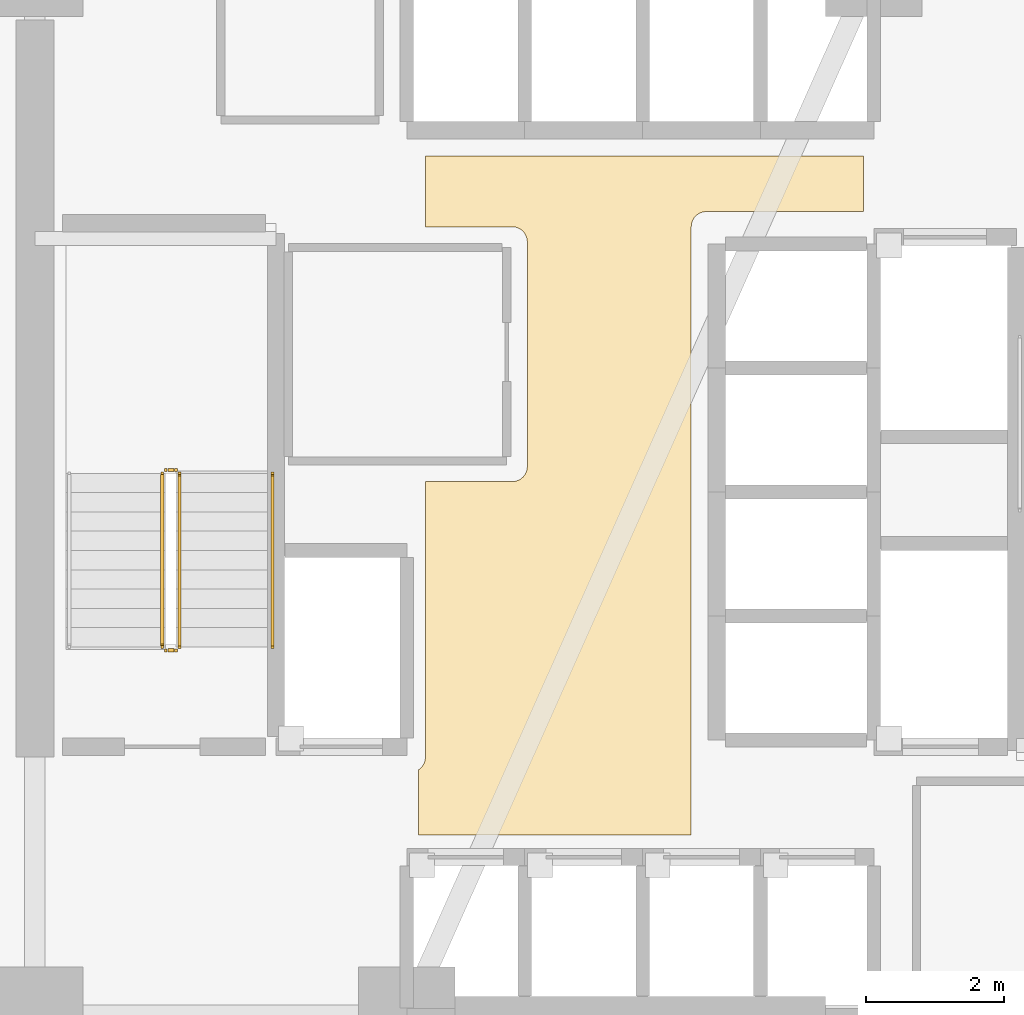
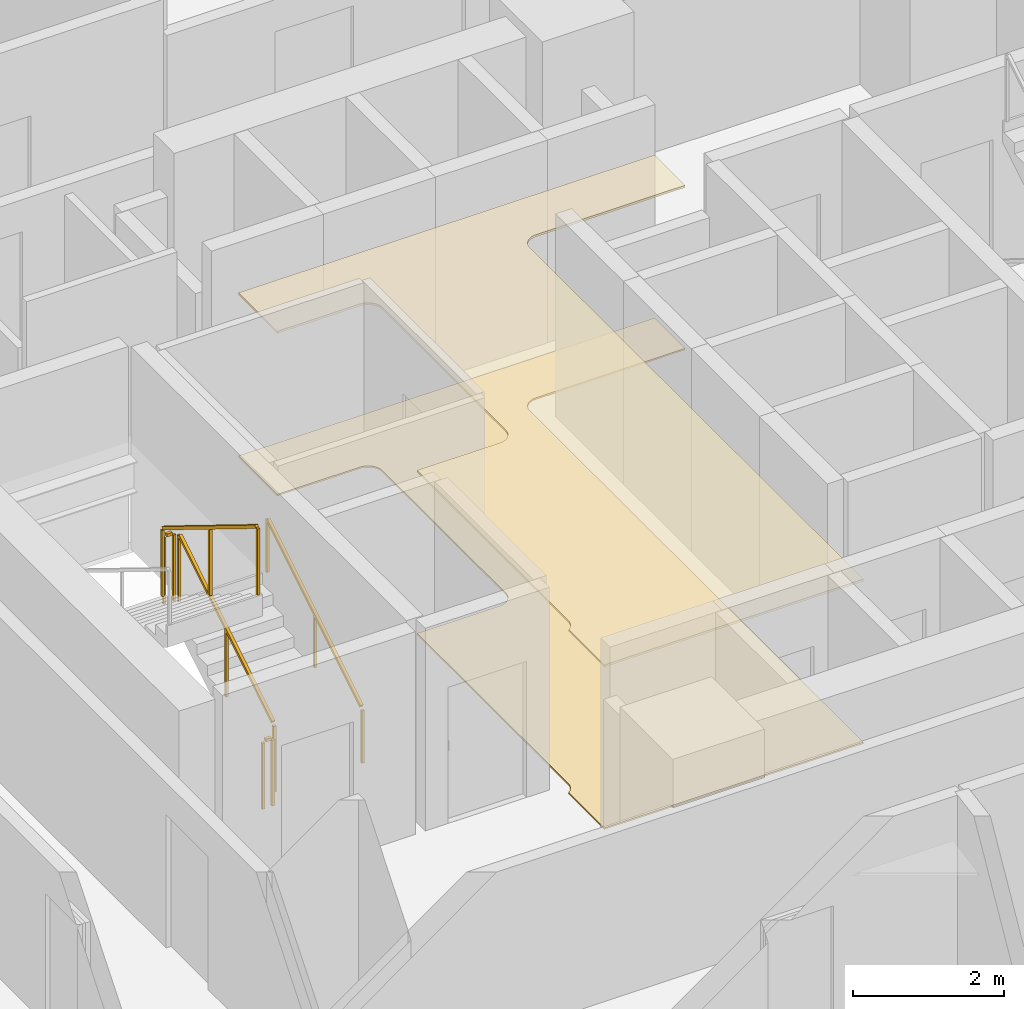
# One storey, part 12 of 15: 5 railings, 2 coverings.
"""IFC4 building model written with IfcOpenShell, lengths in metres."""

import ifcopenshell
import ifcopenshell.guid

model = None  # the IFC model being written
_history = None  # IfcOwnerHistory: only IFC2X3 demands one
_inside = {}  # id of a spatial element -> (the spatial element, [elements in it])
_under = {}  # id of a project, library or spatial element -> (it, [spatial elements below it])
_declared = {}  # id of a project -> (the project, [libraries it declares])
_typed = {}  # id of a type object -> (the type object, [elements of that type])
_made_of = {}  # id of a material, layer set ... -> (it, [elements and type objects made of it])


def new_model(schema):
    """Start an empty IFC model of exactly this schema.

    Asked for "IFC4X3", IfcOpenShell would pick the latest addendum, in which some entities
    have other attributes; the version numbers below select the first issue.
    IFC2X3 requires an IfcOwnerHistory on every rooted entity: one is made here for all.
    """
    global model, _history
    if schema == "IFC4X3":
        model = ifcopenshell.file(schema_version=(4, 3, 0, 0))
    else:
        model = ifcopenshell.file(schema=schema)
    _inside.clear()
    _under.clear()
    _declared.clear()
    _typed.clear()
    _made_of.clear()
    _history = None
    if model.schema == "IFC2X3":
        org = make("IfcOrganization", Name="unknown")
        user = make(
            "IfcPersonAndOrganization",
            ThePerson=make("IfcPerson", FamilyName="unknown"),
            TheOrganization=org,
        )
        app = make(
            "IfcApplication",
            ApplicationDeveloper=org,
            Version="unknown",
            ApplicationFullName="unknown",
            ApplicationIdentifier="unknown",
        )
        _history = make(
            "IfcOwnerHistory",
            OwningUser=user,
            OwningApplication=app,
            ChangeAction="ADDED",
            CreationDate=0,
        )
    return model


def make(cls, **values):
    """One entity of the class cls with the attributes given. An attribute that is None is left unset."""
    return model.create_entity(
        cls, **{name: value for name, value in values.items() if value is not None}
    )


def rooted(cls, **values):
    """An entity with a GlobalId (a new one), such as an element, a storey or a relation."""
    return make(cls, GlobalId=ifcopenshell.guid.new(), OwnerHistory=_history, **values)


def si_unit(unit_type, name, prefix=None):
    """IfcSIUnit, for example si_unit("LENGTHUNIT", "METRE", prefix="MILLI")."""
    return make("IfcSIUnit", UnitType=unit_type, Prefix=prefix, Name=name)


def assignment(units):
    """IfcUnitAssignment: the units of a project."""
    return None if units is None else make("IfcUnitAssignment", Units=units)


def point(xyz):
    """IfcCartesianPoint."""
    return None if xyz is None else make("IfcCartesianPoint", Coordinates=xyz)


def direction(xyz):
    """IfcDirection."""
    return None if xyz is None else make("IfcDirection", DirectionRatios=xyz)


def frame(location, z_axis=None, x_axis=None):
    """IfcAxis2Placement3D, a coordinate frame: its origin and axes. An axis left out is left unset."""
    return make(
        "IfcAxis2Placement3D",
        Location=point(location),
        Axis=direction(z_axis),
        RefDirection=direction(x_axis),
    )


def frame_2d(location, x_axis=None):
    """IfcAxis2Placement2D, a coordinate frame in the plane: its origin and x axis."""
    return make(
        "IfcAxis2Placement2D", Location=point(location), RefDirection=direction(x_axis)
    )


def origin():
    """The frame at (0, 0, 0) with its axes left unset."""
    return frame((0.0, 0.0, 0.0))


def origin_2d():
    """The frame at (0, 0) in the plane with its x axis left unset."""
    return frame_2d((0.0, 0.0))


def place(relative_to, where):
    """IfcLocalPlacement: puts the frame where relative to a parent placement (None: the world)."""
    return make(
        "IfcLocalPlacement", PlacementRelTo=relative_to, RelativePlacement=where
    )


def context(
    kind, dimensions, precision=None, world=None, true_north=None, identifier=None
):
    """IfcGeometricRepresentationContext, for example the 3D "Model" context."""
    return make(
        "IfcGeometricRepresentationContext",
        ContextIdentifier=identifier,
        ContextType=kind,
        CoordinateSpaceDimension=dimensions,
        Precision=precision,
        WorldCoordinateSystem=world,
        TrueNorth=true_north,
    )


def subcontext(parent, identifier, kind, view, scale=None):
    """IfcGeometricRepresentationSubContext, for example "Body" below "Model"."""
    return make(
        "IfcGeometricRepresentationSubContext",
        ContextIdentifier=identifier,
        ContextType=kind,
        ParentContext=parent,
        TargetScale=scale,
        TargetView=view,
    )


def project(units=None, contexts=None):
    """IfcProject with its units and contexts."""
    return rooted(
        "IfcProject",
        Name="project",
        RepresentationContexts=contexts,
        UnitsInContext=assignment(units),
    )


def spatial(cls, under=None, at=None, **own):
    """A site, building, storey or space (cls), placed at a placement, below another one or the project."""
    s = rooted(cls, ObjectPlacement=at, **own)
    if under is not None:
        _under.setdefault(under.id(), (under, []))[1].append(s)
    return s


def polyline(points):
    """IfcPolyline through the points."""
    return make("IfcPolyline", Points=[point(p) for p in points])


def profile(cls, at=None, kind="AREA", **sizes):
    """A parametric profile (cls). Its sizes go by their IFC names, for example OverallWidth=200.0."""
    return make(cls, ProfileType=kind, Position=at, **sizes)


def rectangle(**sizes):
    """IfcRectangleProfileDef."""
    return profile("IfcRectangleProfileDef", **sizes)


def outline(outer, holes=None, kind="AREA"):
    """IfcArbitraryClosedProfileDef: a profile drawn as a closed curve; with holes, ...WithVoids."""
    if holes is None:
        return make("IfcArbitraryClosedProfileDef", ProfileType=kind, OuterCurve=outer)
    return make(
        "IfcArbitraryProfileDefWithVoids",
        ProfileType=kind,
        OuterCurve=outer,
        InnerCurves=holes,
    )


def extrude(swept, where, along, depth):
    """IfcExtrudedAreaSolid: the profile swept, set in the frame where, extruded along a direction by depth."""
    return make(
        "IfcExtrudedAreaSolid",
        SweptArea=swept,
        Position=where,
        ExtrudedDirection=direction(along),
        Depth=depth,
    )


def shape(context_of_items, identifier, shape_type, items):
    """IfcShapeRepresentation: the items that make up one representation, for example the "Body"."""
    return make(
        "IfcShapeRepresentation",
        ContextOfItems=context_of_items,
        RepresentationIdentifier=identifier,
        RepresentationType=shape_type,
        Items=items,
    )


def material(Name=None, Category=None):
    """IfcMaterial."""
    return make("IfcMaterial", Name=Name, Category=Category)


def layer(
    of_material, thickness, ventilated=None, Name=None, Category=None, Priority=None
):
    """IfcMaterialLayer: one layer of a wall or slab, of a material (None: an air gap)."""
    return make(
        "IfcMaterialLayer",
        Material=of_material,
        LayerThickness=thickness,
        IsVentilated=ventilated,
        Name=Name,
        Category=Category,
        Priority=Priority,
    )


def layer_set(layers, Name=None):
    """IfcMaterialLayerSet."""
    return make("IfcMaterialLayerSet", MaterialLayers=layers, LayerSetName=Name)


def made_of(thing, what):
    """Note that an element or type object is made of a material, layer set ...; save() writes the relation."""
    if what is not None:
        _made_of.setdefault(what.id(), (what, []))[1].append(thing)
    return thing


def type_object(cls, material=None, **own):
    """A type object (cls), such as IfcWallType, which elements share."""
    return made_of(rooted(cls, **own), material)


def element(
    cls,
    number,
    at=None,
    inside=None,
    cuts=None,
    type_object=None,
    material=None,
    context=None,
    identifier="Body",
    shape_type=None,
    held_by="IfcProductDefinitionShape",
    body=None,
    shapes=None,
    **own,
):
    """One element of the class cls, such as IfcWall. Its Tag is "e" and its number.

    at: its placement. inside: the storey or other place that contains it. cuts: it is an
    opening in that element (IfcRelVoidsElement). A single representation is given by context,
    identifier, shape_type and body (its items); several are given by shapes. held_by: the class
    of the entity that holds the representations. save() writes the other relations.
    """
    e = rooted(cls, Tag="e%d" % number, ObjectPlacement=at, **own)
    if body is not None:
        shapes = [shape(context, identifier, shape_type, body)]
    if shapes is not None:
        e.Representation = make(held_by, Representations=shapes)
    if inside is not None:
        _inside.setdefault(inside.id(), (inside, []))[1].append(e)
    if cuts is not None:
        rooted(
            "IfcRelVoidsElement", RelatingBuildingElement=cuts, RelatedOpeningElement=e
        )
    if type_object is not None:
        _typed.setdefault(type_object.id(), (type_object, []))[1].append(e)
    return made_of(e, material)


def aggregate(whole, parts):
    """IfcRelAggregates: a whole, such as a stair, and the parts it consists of."""
    return rooted("IfcRelAggregates", RelatingObject=whole, RelatedObjects=parts)


def save(model, path):
    """Write the relations noted so far, then the file.

    IfcRelAggregates (storeys below a building ...), IfcRelContainedInSpatialStructure (elements
    in a storey), IfcRelDefinesByType, IfcRelAssociatesMaterial and IfcRelDeclares: one each for
    every whole, place, type object, material and project.
    """
    for whole, parts in _under.values():
        aggregate(whole, parts)
    for where, things in _inside.values():
        rooted(
            "IfcRelContainedInSpatialStructure",
            RelatedElements=things,
            RelatingStructure=where,
        )
    for kind, things in _typed.values():
        rooted("IfcRelDefinesByType", RelatedObjects=things, RelatingType=kind)
    for what, things in _made_of.values():
        rooted("IfcRelAssociatesMaterial", RelatedObjects=things, RelatingMaterial=what)
    for by, libraries in _declared.values():
        rooted("IfcRelDeclares", RelatingContext=by, RelatedDefinitions=libraries)
    model.write(path)


model = new_model("IFC4")

# Units and contexts
model_context = context("Model", 3, precision=1e-05, world=origin(), true_north=direction((0.0, 1.0)))
body_context = subcontext(model_context, "Body", "Model", "MODEL_VIEW")
ifc_project = project(units=[si_unit("LENGTHUNIT", "METRE"), si_unit("AREAUNIT", "SQUARE_METRE"), si_unit("VOLUMEUNIT", "CUBIC_METRE"), si_unit("PLANEANGLEUNIT", "RADIAN"), si_unit("MASSUNIT", "GRAM", prefix="KILO")], contexts=[model_context])

# Site, building, storey
site_placement = place(None, origin())
site = spatial("IfcSite", under=ifc_project, at=site_placement, CompositionType="ELEMENT")
building_placement = place(site_placement, origin())
building = spatial("IfcBuilding", under=site, at=building_placement, Name="Tharavind Bronze Gate", CompositionType="ELEMENT")
storey_placement = place(building_placement, frame((0.0, 0.0, 63.85009765625)))
storey = spatial("IfcBuildingStorey", under=building, at=storey_placement, Name="L15", CompositionType="ELEMENT", Elevation=63.85009765625)

# Coverings
ifc_material_1 = material(Name="Perforated Bronze Acoustic Panel", Category="bronze")
ifc_layer_1 = layer(ifc_material_1, 0.044921875)
ifc_layer_set_1 = layer_set([ifc_layer_1], Name="Perforated Bronze Acoustic Panel")
covering_type_1 = type_object("IfcCoveringType", Name="ACOUSTIC BRONZE BAFFLE CEILING", PredefinedType="CEILING", material=ifc_layer_set_1)
covering_1_placement = place(storey_placement, frame((0.0, 0.0, 2.625)))
element("IfcCovering", 1, at=covering_1_placement, inside=storey, type_object=covering_type_1, Name="L15-C-LL suspended ceiling", PredefinedType="CEILING", context=body_context, shape_type="SweptSolid", body=[
    extrude(outline(polyline([(-3.330078125, -4.97998046875), (0.6298828125, -4.97998046875), (0.6298828125, 3.85009765625), (0.631103515625, 3.87158203125), (0.63427734375, 3.892822265625), (0.639404296875, 3.913818359375), (0.646728515625, 3.93408203125), (0.656005859375, 3.95361328125), (0.6669921875, 3.97216796875), (0.679931640625, 3.989501953125), (0.6943359375, 4.005615234375), (0.71044921875, 4.02001953125), (0.727783203125, 4.032958984375), (0.746337890625, 4.0439453125), (0.765869140625, 4.05322265625), (0.7861328125, 4.060546875), (0.80712890625, 4.06591796875), (0.828369140625, 4.06884765625), (0.85009765625, 4.070068359375), (3.1298828125, 4.070068359375), (3.1298828125, 4.8798828125), (-3.22998046875, 4.8798828125), (-3.22998046875, 3.85009765625), (-1.969970703125, 3.85009765625), (-1.948486328125, 3.848876953125), (-1.927001953125, 3.845703125), (-1.906005859375, 3.840576171875), (-1.8857421875, 3.833251953125), (-1.8662109375, 3.823974609375), (-1.847900390625, 3.81298828125), (-1.830322265625, 3.800048828125), (-1.814453125, 3.78564453125), (-1.7998046875, 3.76953125), (-1.787109375, 3.752197265625), (-1.77587890625, 3.733642578125), (-1.7666015625, 3.714111328125), (-1.759521484375, 3.69384765625), (-1.754150390625, 3.6728515625), (-1.751220703125, 3.651611328125), (-1.75, 3.6298828125), (-1.75, 0.3701171875), (-1.751220703125, 0.348388671875), (-1.754150390625, 0.3271484375), (-1.759521484375, 0.30615234375), (-1.7666015625, 0.285888671875), (-1.77587890625, 0.266357421875), (-1.787109375, 0.247802734375), (-1.7998046875, 0.23046875), (-1.814453125, 0.21435546875), (-1.830322265625, 0.199951171875), (-1.847900390625, 0.18701171875), (-1.8662109375, 0.176025390625), (-1.8857421875, 0.166748046875), (-1.906005859375, 0.159423828125), (-1.927001953125, 0.154296875), (-1.948486328125, 0.151123046875), (-1.969970703125, 0.14990234375), (-3.22998046875, 0.14990234375), (-3.22998046875, -3.85009765625), (-3.231201171875, -3.87158203125), (-3.234130859375, -3.892822265625), (-3.239501953125, -3.913818359375), (-3.24658203125, -3.93408203125), (-3.256103515625, -3.95361328125), (-3.26708984375, -3.97216796875), (-3.27978515625, -3.989501953125), (-3.29443359375, -4.005615234375), (-3.310302734375, -4.02001953125), (-3.327880859375, -4.032958984375), (-3.330078125, -4.0341796875), (-3.330078125, -4.97998046875)])), origin(), (0.0, 0.0, 1.0), 0.034912109375),
])
ifc_material_2 = material(Name="Honed Travertine Limestone", Category="masonry")
ifc_layer_2 = layer(ifc_material_2, 0.030029296875)
ifc_layer_set_2 = layer_set([ifc_layer_2], Name="Honed Travertine Limestone")
covering_type_2 = type_object("IfcCoveringType", Name="HONED LIMESTONE FLOORING", PredefinedType="FLOORING", material=ifc_layer_set_2)
covering_2_placement = place(storey_placement, origin())
element("IfcCovering", 2, at=covering_2_placement, inside=storey, type_object=covering_type_2, Name="L15-C-LL floor finish", PredefinedType="FLOORING", context=body_context, shape_type="SweptSolid", body=[
    extrude(outline(polyline([(-3.330078125, -4.97998046875), (0.6298828125, -4.97998046875), (0.6298828125, 3.85009765625), (0.631103515625, 3.87158203125), (0.63427734375, 3.892822265625), (0.639404296875, 3.913818359375), (0.646728515625, 3.93408203125), (0.656005859375, 3.95361328125), (0.6669921875, 3.97216796875), (0.679931640625, 3.989501953125), (0.6943359375, 4.005615234375), (0.71044921875, 4.02001953125), (0.727783203125, 4.032958984375), (0.746337890625, 4.0439453125), (0.765869140625, 4.05322265625), (0.7861328125, 4.060546875), (0.80712890625, 4.06591796875), (0.828369140625, 4.06884765625), (0.85009765625, 4.070068359375), (3.1298828125, 4.070068359375), (3.1298828125, 4.8798828125), (-3.22998046875, 4.8798828125), (-3.22998046875, 3.85009765625), (-1.969970703125, 3.85009765625), (-1.948486328125, 3.848876953125), (-1.927001953125, 3.845703125), (-1.906005859375, 3.840576171875), (-1.8857421875, 3.833251953125), (-1.8662109375, 3.823974609375), (-1.847900390625, 3.81298828125), (-1.830322265625, 3.800048828125), (-1.814453125, 3.78564453125), (-1.7998046875, 3.76953125), (-1.787109375, 3.752197265625), (-1.77587890625, 3.733642578125), (-1.7666015625, 3.714111328125), (-1.759521484375, 3.69384765625), (-1.754150390625, 3.6728515625), (-1.751220703125, 3.651611328125), (-1.75, 3.6298828125), (-1.75, 0.3701171875), (-1.751220703125, 0.348388671875), (-1.754150390625, 0.3271484375), (-1.759521484375, 0.30615234375), (-1.7666015625, 0.285888671875), (-1.77587890625, 0.266357421875), (-1.787109375, 0.247802734375), (-1.7998046875, 0.23046875), (-1.814453125, 0.21435546875), (-1.830322265625, 0.199951171875), (-1.847900390625, 0.18701171875), (-1.8662109375, 0.176025390625), (-1.8857421875, 0.166748046875), (-1.906005859375, 0.159423828125), (-1.927001953125, 0.154296875), (-1.948486328125, 0.151123046875), (-1.969970703125, 0.14990234375), (-3.22998046875, 0.14990234375), (-3.22998046875, -3.85009765625), (-3.231201171875, -3.87158203125), (-3.234130859375, -3.892822265625), (-3.239501953125, -3.913818359375), (-3.24658203125, -3.93408203125), (-3.256103515625, -3.95361328125), (-3.26708984375, -3.97216796875), (-3.27978515625, -3.989501953125), (-3.29443359375, -4.005615234375), (-3.310302734375, -4.02001953125), (-3.327880859375, -4.032958984375), (-3.330078125, -4.0341796875), (-3.330078125, -4.97998046875)])), origin(), (0.0, 0.0, 1.0), 0.02490234375),
])

# Railings
ifc_material_3 = material(Name="Brushed Bronze Alloy", Category="metal")
railing_type_1 = type_object("IfcRailingType", Name="STAIR BRONZE HANDRAIL 900", PredefinedType="HANDRAIL", material=ifc_material_3)
railing_1_placement = place(storey_placement, frame((-5.449951171875, -2.25, 0.17236328125)))
element("IfcRailing", 3, at=railing_1_placement, inside=storey, type_object=railing_type_1, Name="L15 ST1 stair handrail 1", PredefinedType="HANDRAIL", context=body_context, shape_type="SweptSolid", body=[
    extrude(rectangle(XDim=0.048095703125, YDim=0.048095703125, at=origin_2d()), frame((0.0, 0.02734375, 0.892578125), z_axis=(0.0, 0.851400495292, 0.524516154772), x_axis=(-1.0, 0.0, 0.0)), (0.0, 0.0, 1.0), 2.895751953125),
    extrude(rectangle(XDim=0.0400390625, YDim=0.0400390625, at=origin_2d()), origin(), (0.0, 0.0, 1.0), 0.847900390625),
    extrude(rectangle(XDim=0.0400390625, YDim=0.0400390625, at=origin_2d()), frame((0.0, 1.260009765625, 0.7763671875)), (0.0, 0.0, 1.0), 0.847900390625),
    extrude(rectangle(XDim=0.0400390625, YDim=0.0400390625, at=origin_2d()), frame((0.0, 2.52001953125, 1.552490234375)), (0.0, 0.0, 1.0), 0.847900390625),
])
railing_type_2 = type_object("IfcRailingType", Name="STAIR WELL GUARD RAILING 1120", PredefinedType="GUARDRAIL", material=ifc_material_3)
railing_2_placement = place(storey_placement, frame((-6.800048828125, -2.25, 0.17236328125)))
element("IfcRailing", 4, at=railing_2_placement, inside=storey, type_object=railing_type_2, Name="L15 ST1 stair guard 1", PredefinedType="GUARDRAIL", context=body_context, shape_type="SweptSolid", body=[
    extrude(rectangle(XDim=0.048095703125, YDim=0.048095703125, at=origin_2d()), frame((0.0, 0.02734375, 1.11279296875), z_axis=(0.0, 0.851400495292, 0.524516154772), x_axis=(-1.0, 0.0, 0.0)), (0.0, 0.0, 1.0), 2.895751953125),
    extrude(rectangle(XDim=0.0400390625, YDim=0.0400390625, at=origin_2d()), origin(), (0.0, 0.0, 1.0), 1.068115234375),
    extrude(rectangle(XDim=0.0400390625, YDim=0.0400390625, at=origin_2d()), frame((0.0, 1.260009765625, 0.7763671875)), (0.0, 0.0, 1.0), 1.068115234375),
    extrude(rectangle(XDim=0.0400390625, YDim=0.0400390625, at=origin_2d()), frame((0.0, 2.52001953125, 1.552490234375)), (0.0, 0.0, 1.0), 1.068115234375),
])
railing_3_placement = place(storey_placement, frame((-6.85009765625, 0.320068359375, 1.724853515625)))
element("IfcRailing", 5, at=railing_3_placement, inside=storey, type_object=railing_type_2, Name="L15 ST1 stair guard 2", PredefinedType="GUARDRAIL", context=body_context, shape_type="SweptSolid", body=[
    extrude(rectangle(XDim=0.048095703125, YDim=0.048095703125, at=origin_2d()), frame((-0.031982421875, 0.0, 1.09619140625), z_axis=(-1.0, 0.0, 0.0), x_axis=(0.0, -1.0, 0.0)), (0.0, 0.0, 1.0), 0.0859375),
    extrude(rectangle(XDim=0.0400390625, YDim=0.0400390625, at=origin_2d()), origin(), (0.0, 0.0, 1.0), 1.068115234375),
    extrude(rectangle(XDim=0.0400390625, YDim=0.0400390625, at=origin_2d()), frame((-0.14990234375, 0.0, 0.0)), (0.0, 0.0, 1.0), 1.068115234375),
])
railing_4_placement = place(storey_placement, frame((-7.050048828125, 0.27001953125, 1.8974609375)))
element("IfcRailing", 6, at=railing_4_placement, inside=storey, type_object=railing_type_2, Name="L15 ST1 stair guard 3", PredefinedType="GUARDRAIL", context=body_context, shape_type="SweptSolid", body=[
    extrude(rectangle(XDim=0.048095703125, YDim=0.048095703125, at=origin_2d()), frame((0.0, -0.02734375, 1.11279296875), z_axis=(0.0, -0.851400495292, 0.524516154772), x_axis=(1.0, 0.0, 0.0)), (0.0, 0.0, 1.0), 2.895751953125),
    extrude(rectangle(XDim=0.0400390625, YDim=0.0400390625, at=origin_2d()), origin(), (0.0, 0.0, 1.0), 1.068115234375),
    extrude(rectangle(XDim=0.0400390625, YDim=0.0400390625, at=origin_2d()), frame((0.0, -1.260009765625, 0.7763671875)), (0.0, 0.0, 1.0), 1.068115234375),
    extrude(rectangle(XDim=0.0400390625, YDim=0.0400390625, at=origin_2d()), frame((0.0, -2.52001953125, 1.552490234375)), (0.0, 0.0, 1.0), 1.068115234375),
])
railing_5_placement = place(storey_placement, frame((-6.85009765625, -2.300048828125, 0.0)))
element("IfcRailing", 7, at=railing_5_placement, inside=storey, type_object=railing_type_2, Name="L15 ST1 stair guard 4", PredefinedType="GUARDRAIL", context=body_context, shape_type="SweptSolid", body=[
    extrude(rectangle(XDim=0.048095703125, YDim=0.048095703125, at=origin_2d()), frame((-0.031982421875, 0.0, 1.09619140625), z_axis=(-1.0, 0.0, 0.0), x_axis=(0.0, -1.0, 0.0)), (0.0, 0.0, 1.0), 0.0859375),
    extrude(rectangle(XDim=0.0400390625, YDim=0.0400390625, at=origin_2d()), origin(), (0.0, 0.0, 1.0), 1.068115234375),
    extrude(rectangle(XDim=0.0400390625, YDim=0.0400390625, at=origin_2d()), frame((-0.14990234375, 0.0, 0.0)), (0.0, 0.0, 1.0), 1.068115234375),
])

save(model, "model.ifc")
